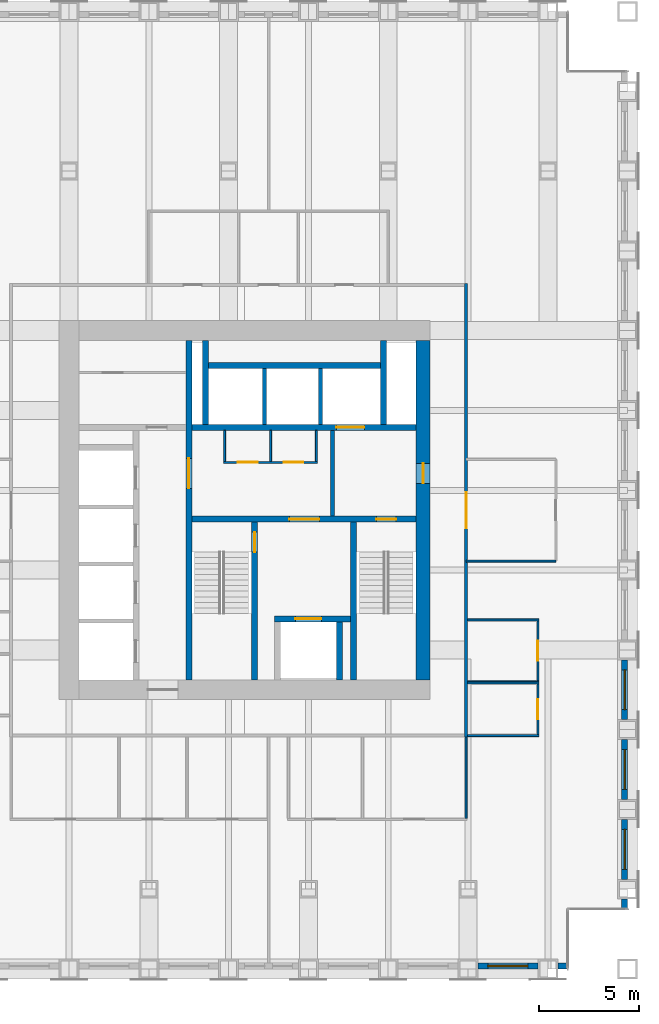
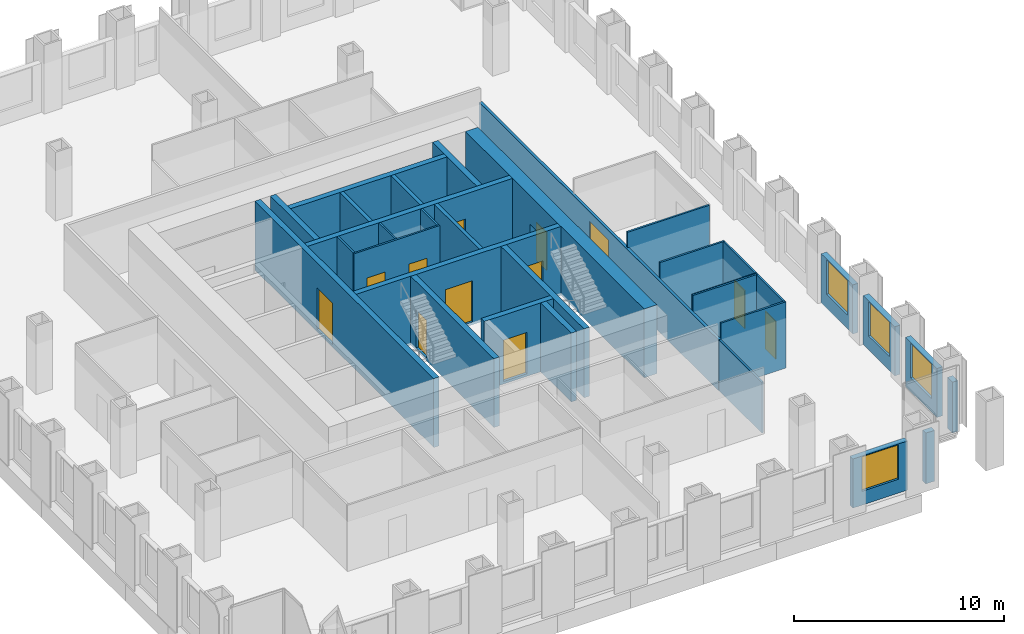
# One storey, part 9 of 12: 33 walls, 12 doors, 4 windows, 16 openings.
"""IFC4 building model written with IfcOpenShell, lengths in metres."""

import ifcopenshell
import ifcopenshell.guid

model = None  # the IFC model being written
_history = None  # IfcOwnerHistory: only IFC2X3 demands one
_inside = {}  # id of a spatial element -> (the spatial element, [elements in it])
_under = {}  # id of a project, library or spatial element -> (it, [spatial elements below it])
_declared = {}  # id of a project -> (the project, [libraries it declares])
_typed = {}  # id of a type object -> (the type object, [elements of that type])
_made_of = {}  # id of a material, layer set ... -> (it, [elements and type objects made of it])


def new_model(schema):
    """Start an empty IFC model of exactly this schema.

    Asked for "IFC4X3", IfcOpenShell would pick the latest addendum, in which some entities
    have other attributes; the version numbers below select the first issue.
    IFC2X3 requires an IfcOwnerHistory on every rooted entity: one is made here for all.
    """
    global model, _history
    if schema == "IFC4X3":
        model = ifcopenshell.file(schema_version=(4, 3, 0, 0))
    else:
        model = ifcopenshell.file(schema=schema)
    _inside.clear()
    _under.clear()
    _declared.clear()
    _typed.clear()
    _made_of.clear()
    _history = None
    if model.schema == "IFC2X3":
        org = make("IfcOrganization", Name="unknown")
        user = make(
            "IfcPersonAndOrganization",
            ThePerson=make("IfcPerson", FamilyName="unknown"),
            TheOrganization=org,
        )
        app = make(
            "IfcApplication",
            ApplicationDeveloper=org,
            Version="unknown",
            ApplicationFullName="unknown",
            ApplicationIdentifier="unknown",
        )
        _history = make(
            "IfcOwnerHistory",
            OwningUser=user,
            OwningApplication=app,
            ChangeAction="ADDED",
            CreationDate=0,
        )
    return model


def make(cls, **values):
    """One entity of the class cls with the attributes given. An attribute that is None is left unset."""
    return model.create_entity(
        cls, **{name: value for name, value in values.items() if value is not None}
    )


def rooted(cls, **values):
    """An entity with a GlobalId (a new one), such as an element, a storey or a relation."""
    return make(cls, GlobalId=ifcopenshell.guid.new(), OwnerHistory=_history, **values)


def si_unit(unit_type, name, prefix=None):
    """IfcSIUnit, for example si_unit("LENGTHUNIT", "METRE", prefix="MILLI")."""
    return make("IfcSIUnit", UnitType=unit_type, Prefix=prefix, Name=name)


def assignment(units):
    """IfcUnitAssignment: the units of a project."""
    return None if units is None else make("IfcUnitAssignment", Units=units)


def point(xyz):
    """IfcCartesianPoint."""
    return None if xyz is None else make("IfcCartesianPoint", Coordinates=xyz)


def direction(xyz):
    """IfcDirection."""
    return None if xyz is None else make("IfcDirection", DirectionRatios=xyz)


def frame(location, z_axis=None, x_axis=None):
    """IfcAxis2Placement3D, a coordinate frame: its origin and axes. An axis left out is left unset."""
    return make(
        "IfcAxis2Placement3D",
        Location=point(location),
        Axis=direction(z_axis),
        RefDirection=direction(x_axis),
    )


def frame_2d(location, x_axis=None):
    """IfcAxis2Placement2D, a coordinate frame in the plane: its origin and x axis."""
    return make(
        "IfcAxis2Placement2D", Location=point(location), RefDirection=direction(x_axis)
    )


def origin():
    """The frame at (0, 0, 0) with its axes left unset."""
    return frame((0.0, 0.0, 0.0))


def place(relative_to, where):
    """IfcLocalPlacement: puts the frame where relative to a parent placement (None: the world)."""
    return make(
        "IfcLocalPlacement", PlacementRelTo=relative_to, RelativePlacement=where
    )


def context(
    kind, dimensions, precision=None, world=None, true_north=None, identifier=None
):
    """IfcGeometricRepresentationContext, for example the 3D "Model" context."""
    return make(
        "IfcGeometricRepresentationContext",
        ContextIdentifier=identifier,
        ContextType=kind,
        CoordinateSpaceDimension=dimensions,
        Precision=precision,
        WorldCoordinateSystem=world,
        TrueNorth=true_north,
    )


def subcontext(parent, identifier, kind, view, scale=None):
    """IfcGeometricRepresentationSubContext, for example "Body" below "Model"."""
    return make(
        "IfcGeometricRepresentationSubContext",
        ContextIdentifier=identifier,
        ContextType=kind,
        ParentContext=parent,
        TargetScale=scale,
        TargetView=view,
    )


def project(units=None, contexts=None):
    """IfcProject with its units and contexts."""
    return rooted(
        "IfcProject",
        Name="project",
        RepresentationContexts=contexts,
        UnitsInContext=assignment(units),
    )


def spatial(cls, under=None, at=None, **own):
    """A site, building, storey or space (cls), placed at a placement, below another one or the project."""
    s = rooted(cls, ObjectPlacement=at, **own)
    if under is not None:
        _under.setdefault(under.id(), (under, []))[1].append(s)
    return s


def profile(cls, at=None, kind="AREA", **sizes):
    """A parametric profile (cls). Its sizes go by their IFC names, for example OverallWidth=200.0."""
    return make(cls, ProfileType=kind, Position=at, **sizes)


def rectangle(**sizes):
    """IfcRectangleProfileDef."""
    return profile("IfcRectangleProfileDef", **sizes)


def extrude(swept, where, along, depth):
    """IfcExtrudedAreaSolid: the profile swept, set in the frame where, extruded along a direction by depth."""
    return make(
        "IfcExtrudedAreaSolid",
        SweptArea=swept,
        Position=where,
        ExtrudedDirection=direction(along),
        Depth=depth,
    )


def shape(context_of_items, identifier, shape_type, items):
    """IfcShapeRepresentation: the items that make up one representation, for example the "Body"."""
    return make(
        "IfcShapeRepresentation",
        ContextOfItems=context_of_items,
        RepresentationIdentifier=identifier,
        RepresentationType=shape_type,
        Items=items,
    )


def material(Name=None, Category=None):
    """IfcMaterial."""
    return make("IfcMaterial", Name=Name, Category=Category)


def layer(
    of_material, thickness, ventilated=None, Name=None, Category=None, Priority=None
):
    """IfcMaterialLayer: one layer of a wall or slab, of a material (None: an air gap)."""
    return make(
        "IfcMaterialLayer",
        Material=of_material,
        LayerThickness=thickness,
        IsVentilated=ventilated,
        Name=Name,
        Category=Category,
        Priority=Priority,
    )


def layer_set(layers, Name=None):
    """IfcMaterialLayerSet."""
    return make("IfcMaterialLayerSet", MaterialLayers=layers, LayerSetName=Name)


def made_of(thing, what):
    """Note that an element or type object is made of a material, layer set ...; save() writes the relation."""
    if what is not None:
        _made_of.setdefault(what.id(), (what, []))[1].append(thing)
    return thing


def type_object(cls, material=None, **own):
    """A type object (cls), such as IfcWallType, which elements share."""
    return made_of(rooted(cls, **own), material)


def element(
    cls,
    number,
    at=None,
    inside=None,
    cuts=None,
    type_object=None,
    material=None,
    context=None,
    identifier="Body",
    shape_type=None,
    held_by="IfcProductDefinitionShape",
    body=None,
    shapes=None,
    **own,
):
    """One element of the class cls, such as IfcWall. Its Tag is "e" and its number.

    at: its placement. inside: the storey or other place that contains it. cuts: it is an
    opening in that element (IfcRelVoidsElement). A single representation is given by context,
    identifier, shape_type and body (its items); several are given by shapes. held_by: the class
    of the entity that holds the representations. save() writes the other relations.
    """
    e = rooted(cls, Tag="e%d" % number, ObjectPlacement=at, **own)
    if body is not None:
        shapes = [shape(context, identifier, shape_type, body)]
    if shapes is not None:
        e.Representation = make(held_by, Representations=shapes)
    if inside is not None:
        _inside.setdefault(inside.id(), (inside, []))[1].append(e)
    if cuts is not None:
        rooted(
            "IfcRelVoidsElement", RelatingBuildingElement=cuts, RelatedOpeningElement=e
        )
    if type_object is not None:
        _typed.setdefault(type_object.id(), (type_object, []))[1].append(e)
    return made_of(e, material)


def fill(opening, filler):
    """IfcRelFillsElement: the door or window that sits in an opening."""
    return rooted(
        "IfcRelFillsElement",
        RelatingOpeningElement=opening,
        RelatedBuildingElement=filler,
    )


def aggregate(whole, parts):
    """IfcRelAggregates: a whole, such as a stair, and the parts it consists of."""
    return rooted("IfcRelAggregates", RelatingObject=whole, RelatedObjects=parts)


def save(model, path):
    """Write the relations noted so far, then the file.

    IfcRelAggregates (storeys below a building ...), IfcRelContainedInSpatialStructure (elements
    in a storey), IfcRelDefinesByType, IfcRelAssociatesMaterial and IfcRelDeclares: one each for
    every whole, place, type object, material and project.
    """
    for whole, parts in _under.values():
        aggregate(whole, parts)
    for where, things in _inside.values():
        rooted(
            "IfcRelContainedInSpatialStructure",
            RelatedElements=things,
            RelatingStructure=where,
        )
    for kind, things in _typed.values():
        rooted("IfcRelDefinesByType", RelatedObjects=things, RelatingType=kind)
    for what, things in _made_of.values():
        rooted("IfcRelAssociatesMaterial", RelatedObjects=things, RelatingMaterial=what)
    for by, libraries in _declared.values():
        rooted("IfcRelDeclares", RelatingContext=by, RelatedDefinitions=libraries)
    model.write(path)


model = new_model("IFC4")

# Units and contexts
model_context = context("Model", 3, precision=1e-05, world=origin(), true_north=direction((0.0, 1.0)))
body_context = subcontext(model_context, "Body", "Model", "MODEL_VIEW")
ifc_project = project(units=[si_unit("LENGTHUNIT", "METRE"), si_unit("AREAUNIT", "SQUARE_METRE"), si_unit("VOLUMEUNIT", "CUBIC_METRE"), si_unit("PLANEANGLEUNIT", "RADIAN"), si_unit("MASSUNIT", "GRAM", prefix="KILO")], contexts=[model_context])

# Site, building, storey
site_placement = place(None, origin())
site = spatial("IfcSite", under=ifc_project, at=site_placement, CompositionType="ELEMENT")
building_placement = place(site_placement, origin())
building = spatial("IfcBuilding", under=site, at=building_placement, Name="Rimbunsela Tower", CompositionType="ELEMENT")
storey_placement = place(building_placement, frame((0.0, 0.0, 155.800048828125)))
storey = spatial("IfcBuildingStorey", under=building, at=storey_placement, Name="L37", CompositionType="ELEMENT", Elevation=155.800048828125)

# Wall, opening, door
ifc_material_1 = material(Name="Concrete fc' 80 MPa", Category="concrete")
ifc_layer_1 = layer(ifc_material_1, 0.300048828125)
ifc_layer_set_1 = layer_set([ifc_layer_1], Name="Core internal wall 300")
wall_type_1 = type_object("IfcWallType", Name="Core internal wall 300", PredefinedType="SHEAR", material=ifc_layer_set_1)
wall_1_placement = place(storey_placement, frame((24.0, 18.5, -0.150146484375), z_axis=(0.0, 0.0, 1.0), x_axis=(0.0, 1.0, 0.0)))
wall_1 = element("IfcWall", 1, at=wall_1_placement, inside=storey, type_object=wall_type_1, Name="Core wall at stair A", PredefinedType="SHEAR", context=body_context, shape_type="SweptSolid", body=[
    extrude(rectangle(XDim=17.0, YDim=0.300048828125, at=frame_2d((8.5, 0.0))), origin(), (0.0, 0.0, 1.0), 4.0),
])
opening_1_placement = place(wall_1_placement, frame((9.60009765625, 0.0, 0.14990234375)))
opening_1 = element("IfcOpeningElement", 2, at=opening_1_placement, cuts=wall_1, Name="Opening D03", PredefinedType="OPENING", context=body_context, shape_type="SweptSolid", body=[
    extrude(rectangle(XDim=1.5, YDim=2.39990234375, at=frame_2d((0.75, 1.199951171875))), frame((0.0, 0.159912109375, 0.0), z_axis=(0.0, -1.0, 0.0), x_axis=(1.0, 0.0, 0.0)), (0.0, 0.0, 1.0), 0.320068359375),
])
ifc_material_2 = material(Name="Steel door, fire rated", Category="steel")
door_type_1 = type_object("IfcDoorType", Name="Core lobby door 1500", OperationType="DOUBLE_DOOR_DOUBLE_SWING", PredefinedType="DOOR", material=ifc_material_2)
door_1_placement = place(opening_1_placement, origin())
door_1 = element("IfcDoor", 3, at=door_1_placement, inside=storey, type_object=door_type_1, Name="West lobby door", OperationType="DOUBLE_DOOR_DOUBLE_SWING", OverallHeight=2.39990234375, OverallWidth=1.5, PredefinedType="DOOR", context=body_context, shape_type="SweptSolid", body=[
    extrude(rectangle(XDim=1.5, YDim=2.39990234375, at=frame_2d((0.75, 1.199951171875))), frame((0.0, 0.02490234375, 0.0), z_axis=(0.0, -1.0, 0.0), x_axis=(1.0, 0.0, 0.0)), (0.0, 0.0, 1.0), 0.050048828125),
])
fill(opening_1, door_1)

# Wall, openings, doors
wall_2_placement = place(storey_placement, frame((24.14990234375, 26.550048828125, -0.150146484375), z_axis=(0.0, 0.0, 1.0), x_axis=(1.0, 0.0, 0.0)))
wall_2 = element("IfcWall", 4, at=wall_2_placement, inside=storey, type_object=wall_type_1, Name="Core wall lobby south", PredefinedType="SHEAR", context=body_context, shape_type="SweptSolid", body=[
    extrude(rectangle(XDim=11.25, YDim=0.300048828125, at=frame_2d((5.625, 0.0))), origin(), (0.0, 0.0, 1.0), 4.0),
])
opening_2_placement = place(wall_2_placement, frame((9.25, 0.0, 0.14990234375)))
opening_2 = element("IfcOpeningElement", 5, at=opening_2_placement, cuts=wall_2, Name="Opening D01", PredefinedType="OPENING", context=body_context, shape_type="SweptSolid", body=[
    extrude(rectangle(XDim=1.0, YDim=2.199951171875, at=frame_2d((0.5, 1.10009765625))), frame((0.0, 0.159912109375, 0.0), z_axis=(0.0, -1.0, 0.0), x_axis=(1.0, 0.0, 0.0)), (0.0, 0.0, 1.0), 0.320068359375),
])
opening_3_placement = place(wall_2_placement, frame((4.89990234375, 0.0, 0.14990234375)))
opening_3 = element("IfcOpeningElement", 6, at=opening_3_placement, cuts=wall_2, Name="Opening D03", PredefinedType="OPENING", context=body_context, shape_type="SweptSolid", body=[
    extrude(rectangle(XDim=1.5, YDim=2.39990234375, at=frame_2d((0.75, 1.199951171875))), frame((0.0, 0.159912109375, 0.0), z_axis=(0.0, -1.0, 0.0), x_axis=(1.0, 0.0, 0.0)), (0.0, 0.0, 1.0), 0.320068359375),
])
door_2_placement = place(opening_3_placement, origin())
door_2 = element("IfcDoor", 7, at=door_2_placement, inside=storey, type_object=door_type_1, Name="Firefighting lobby door", OperationType="DOUBLE_DOOR_DOUBLE_SWING", OverallHeight=2.39990234375, OverallWidth=1.5, PredefinedType="DOOR", context=body_context, shape_type="SweptSolid", body=[
    extrude(rectangle(XDim=1.5, YDim=2.39990234375, at=frame_2d((0.75, 1.199951171875))), frame((0.0, 0.02490234375, 0.0), z_axis=(0.0, -1.0, 0.0), x_axis=(1.0, 0.0, 0.0)), (0.0, 0.0, 1.0), 0.050048828125),
])
fill(opening_3, door_2)
ifc_material_3 = material(Name="Steel door, fire rated", Category="steel")
door_type_2 = type_object("IfcDoorType", Name="Stair door 1000", OperationType="SINGLE_SWING_RIGHT", PredefinedType="DOOR", material=ifc_material_3)
door_3_placement = place(opening_2_placement, frame((1.0, 0.0, 0.0), z_axis=(0.0, 0.0, 1.0), x_axis=(-1.0, 0.0, 0.0)))
door_3 = element("IfcDoor", 8, at=door_3_placement, inside=storey, type_object=door_type_2, Name="Stair B door", OperationType="SINGLE_SWING_RIGHT", OverallHeight=2.199951171875, OverallWidth=1.0, PredefinedType="DOOR", context=body_context, shape_type="SweptSolid", body=[
    extrude(rectangle(XDim=1.0, YDim=2.199951171875, at=frame_2d((0.5, 1.10009765625))), frame((0.0, 0.02490234375, 0.0), z_axis=(0.0, -1.0, 0.0), x_axis=(1.0, 0.0, 0.0)), (0.0, 0.0, 1.0), 0.050048828125),
])
fill(opening_2, door_3)

# Wall, opening, door
wall_3_placement = place(storey_placement, frame((27.300048828125, 18.5, -0.150146484375), z_axis=(0.0, 0.0, 1.0), x_axis=(0.0, 1.0, 0.0)))
wall_3 = element("IfcWall", 9, at=wall_3_placement, inside=storey, type_object=wall_type_1, Name="Stair A enclosure", PredefinedType="SHEAR", context=body_context, shape_type="SweptSolid", body=[
    extrude(rectangle(XDim=7.89990234375, YDim=0.300048828125, at=frame_2d((3.949951171875, 0.0))), origin(), (0.0, 0.0, 1.0), 4.0),
])
opening_4_placement = place(wall_3_placement, frame((6.39990234375, 0.0, 0.14990234375)))
opening_4 = element("IfcOpeningElement", 10, at=opening_4_placement, cuts=wall_3, Name="Opening D01", PredefinedType="OPENING", context=body_context, shape_type="SweptSolid", body=[
    extrude(rectangle(XDim=1.0, YDim=2.199951171875, at=frame_2d((0.5, 1.10009765625))), frame((0.0, 0.159912109375, 0.0), z_axis=(0.0, -1.0, 0.0), x_axis=(1.0, 0.0, 0.0)), (0.0, 0.0, 1.0), 0.320068359375),
])
door_4_placement = place(opening_4_placement, origin())
door_4 = element("IfcDoor", 11, at=door_4_placement, inside=storey, type_object=door_type_2, Name="Stair A door", OperationType="SINGLE_SWING_RIGHT", OverallHeight=2.199951171875, OverallWidth=1.0, PredefinedType="DOOR", context=body_context, shape_type="SweptSolid", body=[
    extrude(rectangle(XDim=1.0, YDim=2.199951171875, at=frame_2d((0.5, 1.10009765625))), frame((0.0, 0.02490234375, 0.0), z_axis=(0.0, -1.0, 0.0), x_axis=(1.0, 0.0, 0.0)), (0.0, 0.0, 1.0), 0.050048828125),
])
fill(opening_4, door_4)

# Walls
wall_4_placement = place(storey_placement, frame((32.25, 18.5, -0.150146484375), z_axis=(0.0, 0.0, 1.0), x_axis=(0.0, 1.0, 0.0)))
element("IfcWall", 12, at=wall_4_placement, inside=storey, type_object=wall_type_1, Name="Stair B enclosure", PredefinedType="SHEAR", context=body_context, shape_type="SweptSolid", body=[
    extrude(rectangle(XDim=7.89990234375, YDim=0.300048828125, at=frame_2d((3.949951171875, 0.0))), origin(), (0.0, 0.0, 1.0), 4.0),
])
wall_5_placement = place(storey_placement, frame((31.550048828125, 18.5, -0.150146484375), z_axis=(0.0, 0.0, 1.0), x_axis=(0.0, 1.0, 0.0)))
element("IfcWall", 13, at=wall_5_placement, inside=storey, type_object=wall_type_1, Name="Firefighting lift shaft east", PredefinedType="SHEAR", context=body_context, shape_type="SweptSolid", body=[
    extrude(rectangle(XDim=2.89990234375, YDim=0.300048828125, at=frame_2d((1.449951171875, 0.0))), origin(), (0.0, 0.0, 1.0), 4.0),
])

# Wall, opening, door
wall_6_placement = place(storey_placement, frame((28.300048828125, 21.550048828125, -0.150146484375), z_axis=(0.0, 0.0, 1.0), x_axis=(1.0, 0.0, 0.0)))
wall_6 = element("IfcWall", 14, at=wall_6_placement, inside=storey, type_object=wall_type_1, Name="Firefighting lift shaft front", PredefinedType="SHEAR", context=body_context, shape_type="SweptSolid", body=[
    extrude(rectangle(XDim=3.800048828125, YDim=0.300048828125, at=frame_2d((1.89990234375, 0.0))), origin(), (0.0, 0.0, 1.0), 4.0),
])
opening_5_placement = place(wall_6_placement, frame((1.050048828125, 0.0, 0.14990234375)))
opening_5 = element("IfcOpeningElement", 15, at=opening_5_placement, cuts=wall_6, Name="Opening LD2", PredefinedType="OPENING", context=body_context, shape_type="SweptSolid", body=[
    extrude(rectangle(XDim=1.300048828125, YDim=2.39990234375, at=frame_2d((0.64990234375, 1.199951171875))), frame((0.0, 0.159912109375, 0.0), z_axis=(0.0, -1.0, 0.0), x_axis=(1.0, 0.0, 0.0)), (0.0, 0.0, 1.0), 0.320068359375),
])
ifc_material_4 = material(Name="Steel door, fire rated", Category="steel")
door_type_3 = type_object("IfcDoorType", Name="Lift landing door 1300", OperationType="DOUBLE_DOOR_SLIDING", PredefinedType="DOOR", material=ifc_material_4)
door_5_placement = place(opening_5_placement, origin())
door_5 = element("IfcDoor", 16, at=door_5_placement, inside=storey, type_object=door_type_3, Name="Lift landing door FL1", OperationType="DOUBLE_DOOR_SLIDING", OverallHeight=2.39990234375, OverallWidth=1.300048828125, PredefinedType="DOOR", context=body_context, shape_type="SweptSolid", body=[
    extrude(rectangle(XDim=1.300048828125, YDim=2.39990234375, at=frame_2d((0.64990234375, 1.199951171875))), frame((0.0, 0.02490234375, 0.0), z_axis=(0.0, -1.0, 0.0), x_axis=(1.0, 0.0, 0.0)), (0.0, 0.0, 1.0), 0.050048828125),
])
fill(opening_5, door_5)

wall_7_placement = place(storey_placement, frame((24.14990234375, 31.14990234375, -0.150146484375), z_axis=(0.0, 0.0, 1.0), x_axis=(1.0, 0.0, 0.0)))
wall_7 = element("IfcWall", 17, at=wall_7_placement, inside=storey, type_object=wall_type_1, Name="Lift shaft front north", PredefinedType="SHEAR", context=body_context, shape_type="SweptSolid", body=[
    extrude(rectangle(XDim=11.25, YDim=0.300048828125, at=frame_2d((5.625, 0.0))), origin(), (0.0, 0.0, 1.0), 4.0),
])
opening_6_placement = place(wall_7_placement, frame((7.25, 0.0, 0.14990234375)))
opening_6 = element("IfcOpeningElement", 18, at=opening_6_placement, cuts=wall_7, Name="Opening LD3", PredefinedType="OPENING", context=body_context, shape_type="SweptSolid", body=[
    extrude(rectangle(XDim=1.39990234375, YDim=2.39990234375, at=frame_2d((0.699951171875, 1.199951171875))), frame((0.0, 0.159912109375, 0.0), z_axis=(0.0, -1.0, 0.0), x_axis=(1.0, 0.0, 0.0)), (0.0, 0.0, 1.0), 0.320068359375),
])
ifc_material_5 = material(Name="Steel door, fire rated", Category="steel")
door_type_4 = type_object("IfcDoorType", Name="Lift landing door 1400", OperationType="DOUBLE_DOOR_SLIDING", PredefinedType="DOOR", material=ifc_material_5)
door_6_placement = place(opening_6_placement, origin())
door_6 = element("IfcDoor", 19, at=door_6_placement, inside=storey, type_object=door_type_4, Name="Lift landing door FL2", OperationType="DOUBLE_DOOR_SLIDING", OverallHeight=2.39990234375, OverallWidth=1.39990234375, PredefinedType="DOOR", context=body_context, shape_type="SweptSolid", body=[
    extrude(rectangle(XDim=1.39990234375, YDim=2.39990234375, at=frame_2d((0.699951171875, 1.199951171875))), frame((0.0, 0.02490234375, 0.0), z_axis=(0.0, -1.0, 0.0), x_axis=(1.0, 0.0, 0.0)), (0.0, 0.0, 1.0), 0.050048828125),
])
fill(opening_6, door_6)

# Walls
for number, where, z_axis, x_axis, name in (
    (20, (24.85009765625, 31.300048828125, -0.150146484375), (0.0, 0.0, 1.0), (0.0, 1.0, 0.0), "Riser wall"),
    (21, (33.75, 31.300048828125, -0.150146484375), (0.0, 0.0, 1.0), (0.0, 1.0, 0.0), "Riser wall"),
):
    element("IfcWall", number, at=place(storey_placement, frame(where, z_axis=z_axis, x_axis=x_axis)), inside=storey, type_object=wall_type_1, Name=name, PredefinedType="SHEAR", context=body_context, shape_type="SweptSolid", body=[
        extrude(rectangle(XDim=4.199951171875, YDim=0.300048828125, at=frame_2d((2.10009765625, 0.0))), origin(), (0.0, 0.0, 1.0), 4.0),
    ])
wall_8_placement = place(storey_placement, frame((25.0, 34.25, -0.150146484375), z_axis=(0.0, 0.0, 1.0), x_axis=(1.0, 0.0, 0.0)))
element("IfcWall", 22, at=wall_8_placement, inside=storey, type_object=wall_type_1, Name="Lift shaft rear north", PredefinedType="SHEAR", context=body_context, shape_type="SweptSolid", body=[
    extrude(rectangle(XDim=8.60009765625, YDim=0.300048828125, at=frame_2d((4.300048828125, 0.0))), origin(), (0.0, 0.0, 1.0), 4.0),
])

# Wall, openings, doors
ifc_material_6 = material(Name="Concrete blockwork", Category="masonry")
ifc_layer_2 = layer(ifc_material_6, 0.10009765625)
ifc_layer_set_2 = layer_set([ifc_layer_2], Name="Core room partition 100")
wall_type_2 = type_object("IfcWallType", Name="Core room partition 100", PredefinedType="PARTITIONING", material=ifc_layer_set_2)
wall_9_placement = place(storey_placement, frame((25.75, 29.39990234375, 0.0), z_axis=(0.0, 0.0, 1.0), x_axis=(1.0, 0.0, 0.0)))
wall_9 = element("IfcWall", 23, at=wall_9_placement, inside=storey, type_object=wall_type_2, Name="Lobby room wall", PredefinedType="PARTITIONING", context=body_context, shape_type="SweptSolid", body=[
    extrude(rectangle(XDim=4.699951171875, YDim=0.10009765625, at=frame_2d((2.35009765625, 0.0))), origin(), (0.0, 0.0, 1.0), 3.849853515625),
])
opening_7_placement = place(wall_9_placement, frame((0.699951171875, 0.0, 0.0)))
opening_7 = element("IfcOpeningElement", 24, at=opening_7_placement, cuts=wall_9, Name="Opening D19", PredefinedType="OPENING", context=body_context, shape_type="SweptSolid", body=[
    extrude(rectangle(XDim=1.0, YDim=2.199951171875, at=frame_2d((0.5, 1.10009765625))), frame((0.0, 0.06005859375, 0.0), z_axis=(0.0, -1.0, 0.0), x_axis=(1.0, 0.0, 0.0)), (0.0, 0.0, 1.0), 0.1201171875),
])
opening_8_placement = place(wall_9_placement, frame((3.0, 0.0, 0.0)))
opening_8 = element("IfcOpeningElement", 25, at=opening_8_placement, cuts=wall_9, Name="Opening D19", PredefinedType="OPENING", context=body_context, shape_type="SweptSolid", body=[
    extrude(rectangle(XDim=1.0, YDim=2.199951171875, at=frame_2d((0.5, 1.10009765625))), frame((0.0, 0.06005859375, 0.0), z_axis=(0.0, -1.0, 0.0), x_axis=(1.0, 0.0, 0.0)), (0.0, 0.0, 1.0), 0.1201171875),
])
ifc_material_7 = material(Name="Steel door, fire rated", Category="steel")
door_type_5 = type_object("IfcDoorType", Name="Service door 1000 fire rated", OperationType="SINGLE_SWING_LEFT", PredefinedType="DOOR", material=ifc_material_7)
door_7_placement = place(opening_7_placement, origin())
door_7 = element("IfcDoor", 26, at=door_7_placement, inside=storey, type_object=door_type_5, Name="Facilities store door", OperationType="SINGLE_SWING_LEFT", OverallHeight=2.199951171875, OverallWidth=1.0, PredefinedType="DOOR", context=body_context, shape_type="SweptSolid", body=[
    extrude(rectangle(XDim=1.0, YDim=2.199951171875, at=frame_2d((0.5, 1.10009765625))), frame((0.0, 0.02490234375, 0.0), z_axis=(0.0, -1.0, 0.0), x_axis=(1.0, 0.0, 0.0)), (0.0, 0.0, 1.0), 0.050048828125),
])
fill(opening_7, door_7)
door_8_placement = place(opening_8_placement, origin())
door_8 = element("IfcDoor", 27, at=door_8_placement, inside=storey, type_object=door_type_5, Name="IT room door", OperationType="SINGLE_SWING_LEFT", OverallHeight=2.199951171875, OverallWidth=1.0, PredefinedType="DOOR", context=body_context, shape_type="SweptSolid", body=[
    extrude(rectangle(XDim=1.0, YDim=2.199951171875, at=frame_2d((0.5, 1.10009765625))), frame((0.0, 0.02490234375, 0.0), z_axis=(0.0, -1.0, 0.0), x_axis=(1.0, 0.0, 0.0)), (0.0, 0.0, 1.0), 0.050048828125),
])
fill(opening_8, door_8)

# Walls
for number, where, z_axis, x_axis, name in (
    (28, (25.800048828125, 29.449951171875, 0.0), (0.0, 0.0, 1.0), (0.0, 1.0, 0.0), "Lobby room wall"),
    (29, (30.39990234375, 29.449951171875, 0.0), (0.0, 0.0, 1.0), (0.0, 1.0, 0.0), "Lobby room wall"),
    (30, (28.10009765625, 29.449951171875, 0.0), (0.0, 0.0, 1.0), (0.0, 1.0, 0.0), "Lobby room wall"),
):
    element("IfcWall", number, at=place(storey_placement, frame(where, z_axis=z_axis, x_axis=x_axis)), inside=storey, type_object=wall_type_2, Name=name, PredefinedType="PARTITIONING", context=body_context, shape_type="SweptSolid", body=[
        extrude(rectangle(XDim=1.550048828125, YDim=0.10009765625, at=frame_2d((0.77490234375, 0.0))), origin(), (0.0, 0.0, 1.0), 3.849853515625),
    ])

# Wall, opening, door
ifc_material_8 = material(Name="Concrete fc' 80 MPa", Category="concrete")
ifc_layer_3 = layer(ifc_material_8, 0.699951171875)
ifc_layer_set_3 = layer_set([ifc_layer_3], Name="Core wall 700 east")
wall_type_3 = type_object("IfcWallType", Name="Core wall 700 east", PredefinedType="SHEAR", material=ifc_layer_set_3)
wall_10_placement = place(storey_placement, frame((35.75, 18.5, -0.150146484375), z_axis=(0.0, 0.0, 1.0), x_axis=(0.0, 1.0, 0.0)))
wall_10 = element("IfcWall", 31, at=wall_10_placement, inside=storey, type_object=wall_type_3, Name="Core wall east", PredefinedType="SHEAR", context=body_context, shape_type="SweptSolid", body=[
    extrude(rectangle(XDim=17.0, YDim=0.699951171875, at=frame_2d((8.5, 0.0))), origin(), (0.0, 0.0, 1.0), 4.0),
])
opening_9_placement = place(wall_10_placement, frame((9.85009765625, 0.0, 0.14990234375)))
opening_9 = element("IfcOpeningElement", 32, at=opening_9_placement, cuts=wall_10, Name="Opening D01", PredefinedType="OPENING", context=body_context, shape_type="SweptSolid", body=[
    extrude(rectangle(XDim=1.0, YDim=2.199951171875, at=frame_2d((0.5, 1.10009765625))), frame((0.0, 0.35986328125, 0.0), z_axis=(0.0, -1.0, 0.0), x_axis=(1.0, 0.0, 0.0)), (0.0, 0.0, 1.0), 0.719970703125),
])
door_9_placement = place(opening_9_placement, origin())
door_9 = element("IfcDoor", 33, at=door_9_placement, inside=storey, type_object=door_type_2, Name="Firefighting lobby 2 door", OperationType="SINGLE_SWING_RIGHT", OverallHeight=2.199951171875, OverallWidth=1.0, PredefinedType="DOOR", context=body_context, shape_type="SweptSolid", body=[
    extrude(rectangle(XDim=1.0, YDim=2.199951171875, at=frame_2d((0.5, 1.10009765625))), frame((0.0, 0.02490234375, 0.0), z_axis=(0.0, -1.0, 0.0), x_axis=(1.0, 0.0, 0.0)), (0.0, 0.0, 1.0), 0.050048828125),
])
fill(opening_9, door_9)

# Walls
ifc_material_9 = material(Name="Concrete blockwork", Category="masonry")
ifc_layer_4 = layer(ifc_material_9, 0.199951171875)
ifc_layer_set_4 = layer_set([ifc_layer_4], Name="Lift shaft wall 200")
wall_type_4 = type_object("IfcWallType", Name="Lift shaft wall 200", PredefinedType="SOLIDWALL", material=ifc_layer_set_4)
for number, where, z_axis, x_axis, name in (
    (34, (27.800048828125, 31.300048828125, -0.150146484375), (0.0, 0.0, 1.0), (0.0, 1.0, 0.0), "Lift shaft separation"),
    (35, (30.60009765625, 31.300048828125, -0.150146484375), (0.0, 0.0, 1.0), (0.0, 1.0, 0.0), "Lift shaft separation"),
):
    element("IfcWall", number, at=place(storey_placement, frame(where, z_axis=z_axis, x_axis=x_axis)), inside=storey, type_object=wall_type_4, Name=name, PredefinedType="SOLIDWALL", context=body_context, shape_type="SweptSolid", body=[
        extrude(rectangle(XDim=2.800048828125, YDim=0.199951171875, at=frame_2d((1.39990234375, 0.0))), origin(), (0.0, 0.0, 1.0), 4.0),
    ])
wall_11_placement = place(storey_placement, frame((31.199951171875, 26.699951171875, 0.0), z_axis=(0.0, 0.0, 1.0), x_axis=(0.0, 1.0, 0.0)))
element("IfcWall", 36, at=wall_11_placement, inside=storey, type_object=wall_type_4, Name="Firefighting lobby 2 wall", PredefinedType="SOLIDWALL", context=body_context, shape_type="SweptSolid", body=[
    extrude(rectangle(XDim=4.300048828125, YDim=0.199951171875, at=frame_2d((2.14990234375, 0.0))), origin(), (0.0, 0.0, 1.0), 3.849853515625),
])
ifc_material_10 = material(Name="Gypsum board on steel studs", Category="steel")
ifc_layer_5 = layer(ifc_material_10, 0.10009765625)
ifc_layer_set_5 = layer_set([ifc_layer_5], Name="Office partition 100")
wall_type_5 = type_object("IfcWallType", Name="Office partition 100", PredefinedType="PARTITIONING", material=ifc_layer_set_5)
for number, where, z_axis, x_axis, name in (
    (37, (37.97509765625, 15.699951171875, 0.0), (0.0, 0.0, 1.0), (1.0, 0.0, 0.0), "Office partition"),
    (38, (37.97509765625, 18.35009765625, 0.0), (0.0, 0.0, 1.0), (1.0, 0.0, 0.0), "Office partition"),
    (39, (37.97509765625, 18.39990234375, 0.0), (0.0, 0.0, 1.0), (1.0, 0.0, 0.0), "Office partition"),
    (40, (37.97509765625, 21.5, 0.0), (0.0, 0.0, 1.0), (1.0, 0.0, 0.0), "Office partition"),
):
    element("IfcWall", number, at=place(storey_placement, frame(where, z_axis=z_axis, x_axis=x_axis)), inside=storey, type_object=wall_type_5, Name=name, PredefinedType="PARTITIONING", context=body_context, shape_type="SweptSolid", body=[
        extrude(rectangle(XDim=3.574951171875, YDim=0.10009765625, at=frame_2d((1.78759765625, 0.0))), origin(), (0.0, 0.0, 1.0), 3.849853515625),
    ])
wall_12_placement = place(storey_placement, frame((37.89990234375, 11.550048828125, 0.0), z_axis=(0.0, 0.0, 1.0), x_axis=(0.0, 1.0, 0.0)))
element("IfcWall", 41, at=wall_12_placement, inside=storey, type_object=wall_type_5, Name="Office partition", PredefinedType="PARTITIONING", context=body_context, shape_type="SweptSolid", body=[
    extrude(rectangle(XDim=4.074951171875, YDim=0.10009765625, at=frame_2d((2.03759765625, 0.0))), origin(), (0.0, 0.0, 1.0), 2.949951171875),
])

# Wall, opening, door
wall_13_placement = place(storey_placement, frame((41.5, 15.75, 0.0), z_axis=(0.0, 0.0, 1.0), x_axis=(0.0, 1.0, 0.0)))
wall_13 = element("IfcWall", 42, at=wall_13_placement, inside=storey, type_object=wall_type_5, Name="Office partition", PredefinedType="PARTITIONING", context=body_context, shape_type="SweptSolid", body=[
    extrude(rectangle(XDim=2.550048828125, YDim=0.10009765625, at=frame_2d((1.27490234375, 0.0))), origin(), (0.0, 0.0, 1.0), 3.849853515625),
])
opening_10_placement = place(wall_13_placement, frame((0.77490234375, 0.0, 0.0)))
opening_10 = element("IfcOpeningElement", 43, at=opening_10_placement, cuts=wall_13, Name="Opening D16", PredefinedType="OPENING", context=body_context, shape_type="SweptSolid", body=[
    extrude(rectangle(XDim=1.0, YDim=2.199951171875, at=frame_2d((0.5, 1.10009765625))), frame((0.0, 0.06005859375, 0.0), z_axis=(0.0, -1.0, 0.0), x_axis=(1.0, 0.0, 0.0)), (0.0, 0.0, 1.0), 0.1201171875),
])
ifc_material_11 = material(Name="Timber door", Category="wood")
door_type_6 = type_object("IfcDoorType", Name="Office door 1000", OperationType="SINGLE_SWING_LEFT", PredefinedType="DOOR", material=ifc_material_11)
door_10_placement = place(opening_10_placement, origin())
door_10 = element("IfcDoor", 44, at=door_10_placement, inside=storey, type_object=door_type_6, Name="Office door", OperationType="SINGLE_SWING_LEFT", OverallHeight=2.199951171875, OverallWidth=1.0, PredefinedType="DOOR", context=body_context, shape_type="SweptSolid", body=[
    extrude(rectangle(XDim=1.0, YDim=2.199951171875, at=frame_2d((0.5, 1.10009765625))), frame((0.0, 0.02490234375, 0.0), z_axis=(0.0, -1.0, 0.0), x_axis=(1.0, 0.0, 0.0)), (0.0, 0.0, 1.0), 0.050048828125),
])
fill(opening_10, door_10)

wall_14_placement = place(storey_placement, frame((41.5, 18.449951171875, 0.0), z_axis=(0.0, 0.0, 1.0), x_axis=(0.0, 1.0, 0.0)))
wall_14 = element("IfcWall", 45, at=wall_14_placement, inside=storey, type_object=wall_type_5, Name="Office partition", PredefinedType="PARTITIONING", context=body_context, shape_type="SweptSolid", body=[
    extrude(rectangle(XDim=3.0, YDim=0.10009765625, at=frame_2d((1.5, 0.0))), origin(), (0.0, 0.0, 1.0), 3.849853515625),
])
opening_11_placement = place(wall_14_placement, frame((1.0, 0.0, 0.0)))
opening_11 = element("IfcOpeningElement", 46, at=opening_11_placement, cuts=wall_14, Name="Opening D16", PredefinedType="OPENING", context=body_context, shape_type="SweptSolid", body=[
    extrude(rectangle(XDim=1.0, YDim=2.199951171875, at=frame_2d((0.5, 1.10009765625))), frame((0.0, 0.06005859375, 0.0), z_axis=(0.0, -1.0, 0.0), x_axis=(1.0, 0.0, 0.0)), (0.0, 0.0, 1.0), 0.1201171875),
])
door_11_placement = place(opening_11_placement, origin())
door_11 = element("IfcDoor", 47, at=door_11_placement, inside=storey, type_object=door_type_6, Name="Office door", OperationType="SINGLE_SWING_LEFT", OverallHeight=2.199951171875, OverallWidth=1.0, PredefinedType="DOOR", context=body_context, shape_type="SweptSolid", body=[
    extrude(rectangle(XDim=1.0, YDim=2.199951171875, at=frame_2d((0.5, 1.10009765625))), frame((0.0, 0.02490234375, 0.0), z_axis=(0.0, -1.0, 0.0), x_axis=(1.0, 0.0, 0.0)), (0.0, 0.0, 1.0), 0.050048828125),
])
fill(opening_11, door_11)

# Wall
wall_15_placement = place(storey_placement, frame((37.89990234375, 24.449951171875, 0.0), z_axis=(0.0, 0.0, 1.0), x_axis=(1.0, 0.0, 0.0)))
element("IfcWall", 48, at=wall_15_placement, inside=storey, type_object=wall_type_5, Name="Office partition", PredefinedType="PARTITIONING", context=body_context, shape_type="SweptSolid", body=[
    extrude(rectangle(XDim=4.5, YDim=0.10009765625, at=frame_2d((2.25, 0.0))), origin(), (0.0, 0.0, 1.0), 3.849853515625),
])

# Wall, opening, window
ifc_material_12 = material(Name="Precast concrete fc' 35 MPa", Category="concrete")
ifc_layer_6 = layer(ifc_material_12, 0.300048828125)
ifc_layer_set_6 = layer_set([ifc_layer_6], Name="Precast concrete fc' 35 MPa")
wall_type_6 = type_object("IfcWallType", Name="Precast facade panel 300", PredefinedType="ELEMENTEDWALL", material=ifc_layer_set_6)
wall_16_placement = place(storey_placement, frame((38.5, 4.14990234375, 0.0), z_axis=(0.0, 0.0, 1.0), x_axis=(1.0, 0.0, 0.0)))
wall_16 = element("IfcWall", 49, at=wall_16_placement, inside=storey, type_object=wall_type_6, Name="Facade panel S L37", PredefinedType="ELEMENTEDWALL", context=body_context, shape_type="SweptSolid", body=[
    extrude(rectangle(XDim=3.0, YDim=0.300048828125, at=frame_2d((1.5, 0.0))), origin(), (0.0, 0.0, 1.0), 2.849853515625),
])
opening_12_placement = place(wall_16_placement, frame((0.5, 0.0, 0.800048828125)))
opening_12 = element("IfcOpeningElement", 50, at=opening_12_placement, cuts=wall_16, Name="Opening W1", PredefinedType="OPENING", context=body_context, shape_type="SweptSolid", body=[
    extrude(rectangle(XDim=2.0, YDim=2.0, at=frame_2d((1.0, 1.0))), frame((0.0, 0.159912109375, 0.0), z_axis=(0.0, -1.0, 0.0), x_axis=(1.0, 0.0, 0.0)), (0.0, 0.0, 1.0), 0.320068359375),
])
ifc_material_13 = material(Name="Clear glass in aluminium frame", Category="aluminium")
window_type = type_object("IfcWindowType", Name="Window W1 2000x2000", PartitioningType="DOUBLE_PANEL_VERTICAL", PredefinedType="WINDOW", material=ifc_material_13)
window_1_placement = place(opening_12_placement, origin())
window_1 = element("IfcWindow", 51, at=window_1_placement, inside=storey, type_object=window_type, Name="Window L37", OverallHeight=2.0, OverallWidth=2.0, PartitioningType="SINGLE_PANEL", PredefinedType="WINDOW", context=body_context, shape_type="SweptSolid", body=[
    extrude(rectangle(XDim=2.0, YDim=2.0, at=frame_2d((1.0, 1.0))), frame((0.0, 0.030029296875, 0.0), z_axis=(0.0, -1.0, 0.0), x_axis=(1.0, 0.0, 0.0)), (0.0, 0.0, 1.0), 0.06005859375),
])
fill(opening_12, window_1)

# Walls
for number, where, z_axis, x_axis, name in (
    (52, (42.5, 4.14990234375, 0.0), (0.0, 0.0, 1.0), (1.0, 0.0, 0.0), "Facade panel S L37"),
    (53, (45.85009765625, 7.030029296875, 0.0), (0.0, 0.0, 1.0), (0.0, 1.0, 0.0), "Facade panel E L37"),
):
    element("IfcWall", number, at=place(storey_placement, frame(where, z_axis=z_axis, x_axis=x_axis)), inside=storey, type_object=wall_type_6, Name=name, PredefinedType="ELEMENTEDWALL", context=body_context, shape_type="SweptSolid", body=[
        extrude(rectangle(XDim=0.469970703125, YDim=0.300048828125, at=frame_2d((0.23486328125, 0.0))), origin(), (0.0, 0.0, 1.0), 2.949951171875),
    ])

# Wall, opening, window
wall_17_placement = place(storey_placement, frame((45.85009765625, 8.5, 0.0), z_axis=(0.0, 0.0, 1.0), x_axis=(0.0, 1.0, 0.0)))
wall_17 = element("IfcWall", 54, at=wall_17_placement, inside=storey, type_object=wall_type_6, Name="Facade panel E L37", PredefinedType="ELEMENTEDWALL", context=body_context, shape_type="SweptSolid", body=[
    extrude(rectangle(XDim=3.0, YDim=0.300048828125, at=frame_2d((1.5, 0.0))), origin(), (0.0, 0.0, 1.0), 2.849853515625),
])
opening_13_placement = place(wall_17_placement, frame((0.5, 0.0, 0.800048828125)))
opening_13 = element("IfcOpeningElement", 55, at=opening_13_placement, cuts=wall_17, Name="Opening W1", PredefinedType="OPENING", context=body_context, shape_type="SweptSolid", body=[
    extrude(rectangle(XDim=2.0, YDim=2.0, at=frame_2d((1.0, 1.0))), frame((0.0, 0.159912109375, 0.0), z_axis=(0.0, -1.0, 0.0), x_axis=(1.0, 0.0, 0.0)), (0.0, 0.0, 1.0), 0.320068359375),
])
window_2_placement = place(opening_13_placement, origin())
window_2 = element("IfcWindow", 56, at=window_2_placement, inside=storey, type_object=window_type, Name="Window L37", OverallHeight=2.0, OverallWidth=2.0, PartitioningType="SINGLE_PANEL", PredefinedType="WINDOW", context=body_context, shape_type="SweptSolid", body=[
    extrude(rectangle(XDim=2.0, YDim=2.0, at=frame_2d((1.0, 1.0))), frame((0.0, 0.030029296875, 0.0), z_axis=(0.0, -1.0, 0.0), x_axis=(1.0, 0.0, 0.0)), (0.0, 0.0, 1.0), 0.06005859375),
])
fill(opening_13, window_2)

wall_18_placement = place(storey_placement, frame((45.85009765625, 12.5, 0.0), z_axis=(0.0, 0.0, 1.0), x_axis=(0.0, 1.0, 0.0)))
wall_18 = element("IfcWall", 57, at=wall_18_placement, inside=storey, type_object=wall_type_6, Name="Facade panel E L37", PredefinedType="ELEMENTEDWALL", context=body_context, shape_type="SweptSolid", body=[
    extrude(rectangle(XDim=3.0, YDim=0.300048828125, at=frame_2d((1.5, 0.0))), origin(), (0.0, 0.0, 1.0), 2.849853515625),
])
opening_14_placement = place(wall_18_placement, frame((0.5, 0.0, 0.800048828125)))
opening_14 = element("IfcOpeningElement", 58, at=opening_14_placement, cuts=wall_18, Name="Opening W1", PredefinedType="OPENING", context=body_context, shape_type="SweptSolid", body=[
    extrude(rectangle(XDim=2.0, YDim=2.0, at=frame_2d((1.0, 1.0))), frame((0.0, 0.159912109375, 0.0), z_axis=(0.0, -1.0, 0.0), x_axis=(1.0, 0.0, 0.0)), (0.0, 0.0, 1.0), 0.320068359375),
])
window_3_placement = place(opening_14_placement, origin())
window_3 = element("IfcWindow", 59, at=window_3_placement, inside=storey, type_object=window_type, Name="Window L37", OverallHeight=2.0, OverallWidth=2.0, PartitioningType="SINGLE_PANEL", PredefinedType="WINDOW", context=body_context, shape_type="SweptSolid", body=[
    extrude(rectangle(XDim=2.0, YDim=2.0, at=frame_2d((1.0, 1.0))), frame((0.0, 0.030029296875, 0.0), z_axis=(0.0, -1.0, 0.0), x_axis=(1.0, 0.0, 0.0)), (0.0, 0.0, 1.0), 0.06005859375),
])
fill(opening_14, window_3)

wall_19_placement = place(storey_placement, frame((45.85009765625, 16.5, 0.0), z_axis=(0.0, 0.0, 1.0), x_axis=(0.0, 1.0, 0.0)))
wall_19 = element("IfcWall", 60, at=wall_19_placement, inside=storey, type_object=wall_type_6, Name="Facade panel E L37", PredefinedType="ELEMENTEDWALL", context=body_context, shape_type="SweptSolid", body=[
    extrude(rectangle(XDim=3.0, YDim=0.300048828125, at=frame_2d((1.5, 0.0))), origin(), (0.0, 0.0, 1.0), 2.849853515625),
])
opening_15_placement = place(wall_19_placement, frame((0.5, 0.0, 0.800048828125)))
opening_15 = element("IfcOpeningElement", 61, at=opening_15_placement, cuts=wall_19, Name="Opening W1", PredefinedType="OPENING", context=body_context, shape_type="SweptSolid", body=[
    extrude(rectangle(XDim=2.0, YDim=2.0, at=frame_2d((1.0, 1.0))), frame((0.0, 0.159912109375, 0.0), z_axis=(0.0, -1.0, 0.0), x_axis=(1.0, 0.0, 0.0)), (0.0, 0.0, 1.0), 0.320068359375),
])
window_4_placement = place(opening_15_placement, origin())
window_4 = element("IfcWindow", 62, at=window_4_placement, inside=storey, type_object=window_type, Name="Window L37", OverallHeight=2.0, OverallWidth=2.0, PartitioningType="SINGLE_PANEL", PredefinedType="WINDOW", context=body_context, shape_type="SweptSolid", body=[
    extrude(rectangle(XDim=2.0, YDim=2.0, at=frame_2d((1.0, 1.0))), frame((0.0, 0.030029296875, 0.0), z_axis=(0.0, -1.0, 0.0), x_axis=(1.0, 0.0, 0.0)), (0.0, 0.0, 1.0), 0.06005859375),
])
fill(opening_15, window_4)

# Wall, opening, door
ifc_material_14 = material(Name="Fire-rated gypsum board on steel studs, EI 60", Category="steel")
ifc_layer_7 = layer(ifc_material_14, 0.14990234375)
ifc_layer_set_7 = layer_set([ifc_layer_7], Name="Rated corridor wall 150")
wall_type_7 = type_object("IfcWallType", Name="Rated corridor wall 150", PredefinedType="PARTITIONING", material=ifc_layer_set_7)
wall_20_placement = place(storey_placement, frame((37.89990234375, 15.625, 0.0), z_axis=(0.0, 0.0, 1.0), x_axis=(0.0, 1.0, 0.0)))
wall_20 = element("IfcWall", 63, at=wall_20_placement, inside=storey, type_object=wall_type_7, Name="Corridor wall east", PredefinedType="PARTITIONING", context=body_context, shape_type="SweptSolid", body=[
    extrude(rectangle(XDim=22.75, YDim=0.14990234375, at=frame_2d((11.375, 0.0))), origin(), (0.0, 0.0, 1.0), 2.949951171875),
])
opening_16_placement = place(wall_20_placement, frame((10.47509765625, 0.0, 0.0)))
opening_16 = element("IfcOpeningElement", 64, at=opening_16_placement, cuts=wall_20, Name="Opening D09", PredefinedType="OPENING", context=body_context, shape_type="SweptSolid", body=[
    extrude(rectangle(XDim=1.800048828125, YDim=2.39990234375, at=frame_2d((0.89990234375, 1.199951171875))), frame((0.0, 0.0849609375, 0.0), z_axis=(0.0, -1.0, 0.0), x_axis=(1.0, 0.0, 0.0)), (0.0, 0.0, 1.0), 0.169921875),
])
ifc_material_15 = material(Name="Glazed aluminium door, fire rated", Category="aluminium")
door_type_7 = type_object("IfcDoorType", Name="Tenancy door 1800 glazed", OperationType="DOUBLE_DOOR_DOUBLE_SWING", PredefinedType="DOOR", material=ifc_material_15)
door_12_placement = place(opening_16_placement, origin())
door_12 = element("IfcDoor", 65, at=door_12_placement, inside=storey, type_object=door_type_7, Name="Tenancy door", OperationType="DOUBLE_DOOR_DOUBLE_SWING", OverallHeight=2.39990234375, OverallWidth=1.800048828125, PredefinedType="DOOR", context=body_context, shape_type="SweptSolid", body=[
    extrude(rectangle(XDim=1.800048828125, YDim=2.39990234375, at=frame_2d((0.89990234375, 1.199951171875))), frame((0.0, 0.02490234375, 0.0), z_axis=(0.0, -1.0, 0.0), x_axis=(1.0, 0.0, 0.0)), (0.0, 0.0, 1.0), 0.050048828125),
])
fill(opening_16, door_12)

save(model, "model.ifc")
